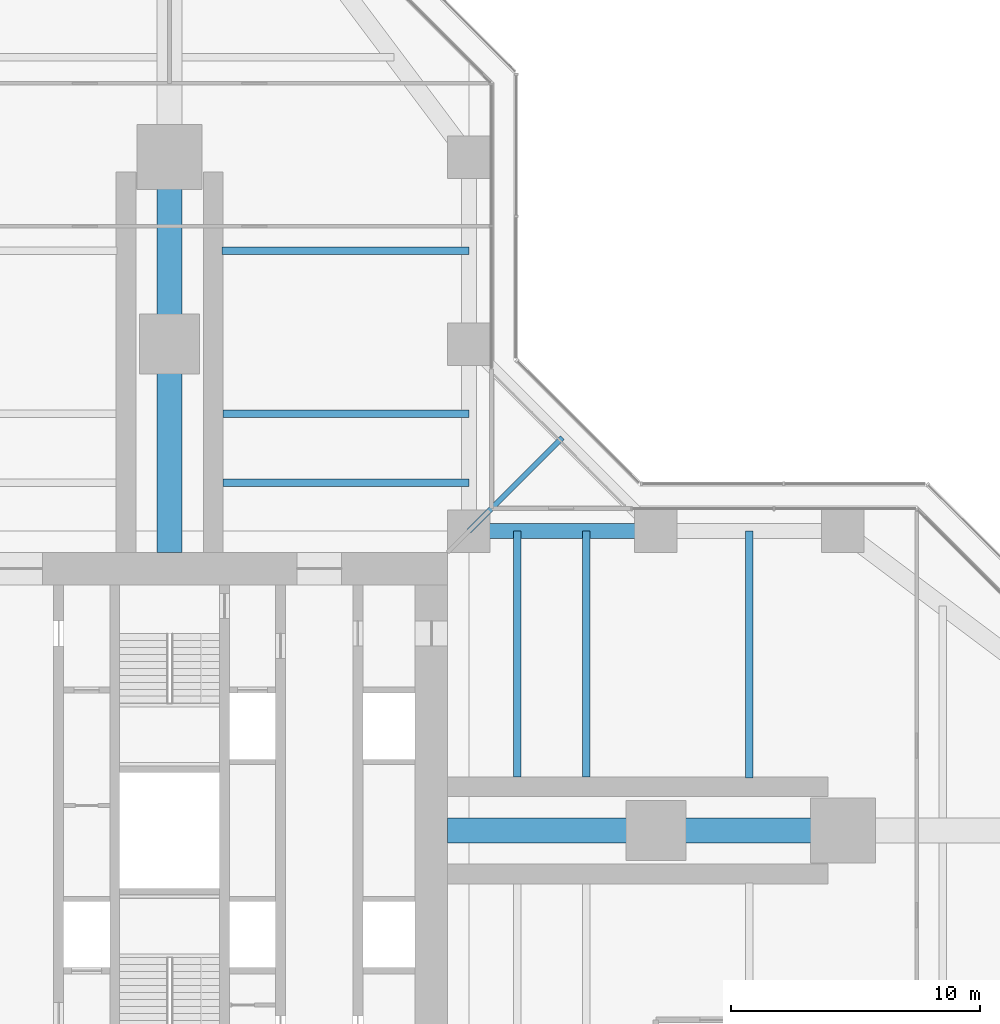
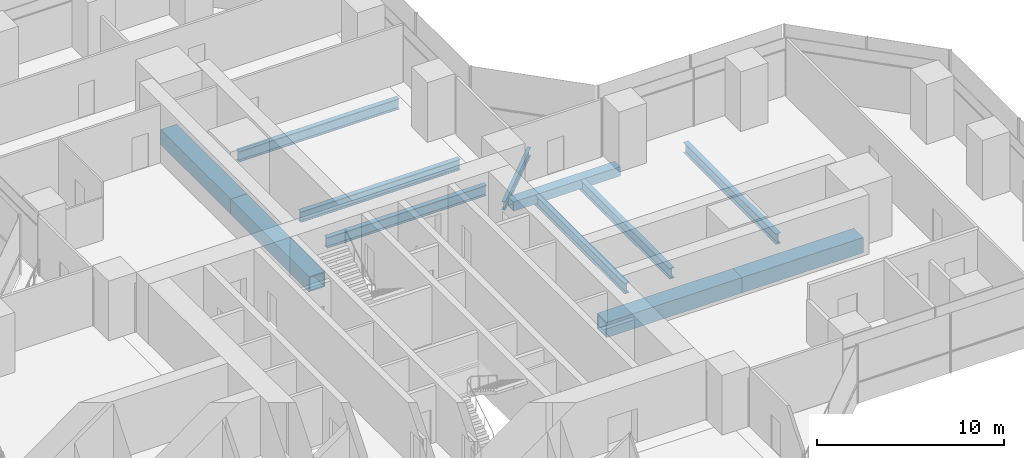
# One storey, part 10 of 22: 12 beams.
"""IFC4 building model written with IfcOpenShell, lengths in metres."""

from ifc_helpers import new_model, si_unit, direction, frame, origin, origin_2d, place, context, subcontext, project, spatial, hollow_rectangle, i_section, extrude, material, material_profile, profile_set, type_object, element, save


model = new_model("IFC4")

# Units and contexts
model_context = context("Model", 3, precision=1e-05, world=origin(), true_north=direction((0.0, 1.0)))
body_context = subcontext(model_context, "Body", "Model", "MODEL_VIEW")
ifc_project = project(units=[si_unit("LENGTHUNIT", "METRE"), si_unit("AREAUNIT", "SQUARE_METRE"), si_unit("VOLUMEUNIT", "CUBIC_METRE"), si_unit("PLANEANGLEUNIT", "RADIAN"), si_unit("MASSUNIT", "GRAM", prefix="KILO")], contexts=[model_context])

# Site, building, storey
site_placement = place(None, origin())
site = spatial("IfcSite", under=ifc_project, at=site_placement, CompositionType="ELEMENT")
building_placement = place(site_placement, origin())
building = spatial("IfcBuilding", under=site, at=building_placement, Name="Mizan Broadcast Tower", CompositionType="ELEMENT")
storey_placement = place(building_placement, frame((0.0, 0.0, 43.5)))
storey = spatial("IfcBuildingStorey", under=building, at=storey_placement, Name="L07", CompositionType="ELEMENT", Elevation=43.5)

# Beams
ifc_material_1 = material(Name="Steel S355", Category="steel")
ifc_material_profile_1 = material_profile(ifc_material_1, hollow_rectangle(XDim=0.60009765625, YDim=0.60009765625, WallThickness=0.0400390625, at=origin_2d()), Name="BOX 600x600x40")
ifc_profile_set_1 = profile_set([ifc_material_profile_1], Name="Steel S355")
beam_type_1 = type_object("IfcBeamType", Name="EDGE BEAM BOX 600x600x40", PredefinedType="SPANDREL", material=ifc_profile_set_1)
beam_1_placement = place(storey_placement, frame((12.449951171875, 12.0, -0.429931640625), z_axis=(1.0, 0.0, 0.0), x_axis=(0.0, 1.0, 0.0)))
element("IfcBeam", 1, at=beam_1_placement, inside=storey, type_object=beam_type_1, Name="Edge beam BOX 600x600x40 L07 east arm", PredefinedType="SPANDREL", context=body_context, shape_type="SweptSolid", body=[
    extrude(hollow_rectangle(XDim=0.60009765625, YDim=0.60009765625, WallThickness=0.0400390625, at=origin_2d()), origin(), (0.0, 0.0, 1.0), 6.60009765625),
])
ifc_material_2 = material(Name="Steel S460", Category="steel")
ifc_material_profile_2 = material_profile(ifc_material_2, hollow_rectangle(XDim=1.0, YDim=1.0, WallThickness=0.080078125, at=origin_2d()), Name="BOX 1000x1000x80")
ifc_profile_set_2 = profile_set([ifc_material_profile_2], Name="Steel S460")
beam_type_2 = type_object("IfcBeamType", Name="OUTRIGGER TRUSS OT1 CHORD BOX 1000x1000x80", PredefinedType="BEAM", material=ifc_profile_set_2)
beam_2_placement = place(storey_placement, frame((11.14990234375, 0.0, -0.6298828125), z_axis=(1.0, 0.0, 0.0), x_axis=(0.0, 1.0, 0.0)))
element("IfcBeam", 2, at=beam_2_placement, inside=storey, type_object=beam_type_2, Name="Outrigger truss OT1-E top chord 1", PredefinedType="BEAM", context=body_context, shape_type="SweptSolid", body=[
    extrude(hollow_rectangle(XDim=1.0, YDim=1.0, WallThickness=0.080078125, at=origin_2d()), origin(), (0.0, 0.0, 1.0), 8.35009765625),
])
beam_3_placement = place(storey_placement, frame((19.5, 0.0, -0.6298828125), z_axis=(1.0, 0.0, 0.0), x_axis=(0.0, 1.0, 0.0)))
element("IfcBeam", 3, at=beam_3_placement, inside=storey, type_object=beam_type_2, Name="Outrigger truss OT1-E top chord 2", PredefinedType="BEAM", context=body_context, shape_type="SweptSolid", body=[
    extrude(hollow_rectangle(XDim=1.0, YDim=1.0, WallThickness=0.080078125, at=origin_2d()), origin(), (0.0, 0.0, 1.0), 7.5),
])
beam_4_placement = place(storey_placement, frame((0.0, 11.14990234375, -0.6298828125), z_axis=(0.0, 1.0, 0.0), x_axis=(-1.0, 0.0, 0.0)))
element("IfcBeam", 4, at=beam_4_placement, inside=storey, type_object=beam_type_2, Name="Outrigger truss OT1-N top chord 1", PredefinedType="BEAM", context=body_context, shape_type="SweptSolid", body=[
    extrude(hollow_rectangle(XDim=1.0, YDim=1.0, WallThickness=0.080078125, at=origin_2d()), origin(), (0.0, 0.0, 1.0), 8.35009765625),
])
beam_5_placement = place(storey_placement, frame((0.0, 19.5, -0.6298828125), z_axis=(0.0, 1.0, 0.0), x_axis=(-1.0, 0.0, 0.0)))
element("IfcBeam", 5, at=beam_5_placement, inside=storey, type_object=beam_type_2, Name="Outrigger truss OT1-N top chord 2", PredefinedType="BEAM", context=body_context, shape_type="SweptSolid", body=[
    extrude(hollow_rectangle(XDim=1.0, YDim=1.0, WallThickness=0.080078125, at=origin_2d()), origin(), (0.0, 0.0, 1.0), 7.5),
])
ifc_material_3 = material(Name="Steel S355", Category="steel")
ifc_material_profile_3 = material_profile(ifc_material_3, i_section(OverallWidth=0.300048828125, OverallDepth=0.68994140625, WebThickness=0.014404296875, FlangeThickness=0.027099609375, FilletRadius=0.027099609375, at=origin_2d()), Name="HEA 700")
ifc_profile_set_3 = profile_set([ifc_material_profile_3], Name="Steel S355")
beam_type_3 = type_object("IfcBeamType", Name="SECONDARY BEAM HEA 700", PredefinedType="JOIST", material=ifc_profile_set_3)
for number, where, z_axis, x_axis, name in (
    (6, (13.933349609375, 12.0, -0.47509765625), (0.0, -1.0, 0.0), (1.0, 0.0, 0.0), "Secondary beam HEA 700 L07 east arm"),
    (7, (16.716552734375, 12.0, -0.47509765625), (0.0, -1.0, 0.0), (1.0, 0.0, 0.0), "Secondary beam HEA 700 L07 east arm"),
):
    element("IfcBeam", number, at=place(storey_placement, frame(where, z_axis=z_axis, x_axis=x_axis)), inside=storey, type_object=beam_type_3, Name=name, PredefinedType="JOIST", context=body_context, shape_type="SweptSolid", body=[
        extrude(i_section(OverallWidth=0.300048828125, OverallDepth=0.68994140625, WebThickness=0.014404296875, FlangeThickness=0.027099609375, FilletRadius=0.027099609375, at=origin_2d()), origin(), (0.0, 0.0, 1.0), 9.85009765625),
    ])
beam_6_placement = place(storey_placement, frame((23.25, 12.0, -0.47509765625), z_axis=(0.0, -1.0, 0.0), x_axis=(1.0, 0.0, 0.0)))
element("IfcBeam", 8, at=beam_6_placement, inside=storey, type_object=beam_type_3, Name="Secondary beam HEA 700 L07 east arm", PredefinedType="JOIST", context=body_context, shape_type="SweptSolid", body=[
    extrude(i_section(OverallWidth=0.300048828125, OverallDepth=0.68994140625, WebThickness=0.014404296875, FlangeThickness=0.027099609375, FilletRadius=0.027099609375, at=origin_2d()), origin(), (0.0, 0.0, 1.0), 9.89990234375),
])
for number, where, z_axis, x_axis, name in (
    (9, (12.0, 13.933349609375, -0.47509765625), (-1.0, 0.0, 0.0), (0.0, -1.0, 0.0), "Secondary beam HEA 700 L07 north arm"),
    (10, (12.0, 16.716552734375, -0.47509765625), (-1.0, 0.0, 0.0), (0.0, -1.0, 0.0), "Secondary beam HEA 700 L07 north arm"),
):
    element("IfcBeam", number, at=place(storey_placement, frame(where, z_axis=z_axis, x_axis=x_axis)), inside=storey, type_object=beam_type_3, Name=name, PredefinedType="JOIST", context=body_context, shape_type="SweptSolid", body=[
        extrude(i_section(OverallWidth=0.300048828125, OverallDepth=0.68994140625, WebThickness=0.014404296875, FlangeThickness=0.027099609375, FilletRadius=0.027099609375, at=origin_2d()), origin(), (0.0, 0.0, 1.0), 9.85009765625),
    ])
beam_7_placement = place(storey_placement, frame((12.0, 23.25, -0.47509765625), z_axis=(-1.0, 0.0, 0.0), x_axis=(0.0, -1.0, 0.0)))
element("IfcBeam", 11, at=beam_7_placement, inside=storey, type_object=beam_type_3, Name="Secondary beam HEA 700 L07 north arm", PredefinedType="JOIST", context=body_context, shape_type="SweptSolid", body=[
    extrude(i_section(OverallWidth=0.300048828125, OverallDepth=0.68994140625, WebThickness=0.014404296875, FlangeThickness=0.027099609375, FilletRadius=0.027099609375, at=origin_2d()), origin(), (0.0, 0.0, 1.0), 9.89990234375),
])
ifc_material_4 = material(Name="Steel S355", Category="steel")
ifc_material_profile_4 = material_profile(ifc_material_4, i_section(OverallWidth=0.2099609375, OverallDepth=0.550048828125, WebThickness=0.010986328125, FlangeThickness=0.01708984375, FilletRadius=0.02392578125, at=origin_2d()), Name="IPE 550")
ifc_profile_set_4 = profile_set([ifc_material_profile_4], Name="Steel S355")
beam_type_4 = type_object("IfcBeamType", Name="SECONDARY BEAM IPE 550", PredefinedType="JOIST", material=ifc_profile_set_4)
beam_8_placement = place(storey_placement, frame((12.0, 12.0, -0.405029296875), z_axis=(0.707106781187, 0.707106781187, 0.0), x_axis=(-0.707106781187, 0.707106781187, 0.0)))
element("IfcBeam", 12, at=beam_8_placement, inside=storey, type_object=beam_type_4, Name="Winter garden beam L07 E", PredefinedType="JOIST", context=body_context, shape_type="SweptSolid", body=[
    extrude(i_section(OverallWidth=0.2099609375, OverallDepth=0.550048828125, WebThickness=0.010986328125, FlangeThickness=0.01708984375, FilletRadius=0.02392578125, at=origin_2d()), origin(), (0.0, 0.0, 1.0), 5.30322265625),
])

save(model, "model.ifc")
